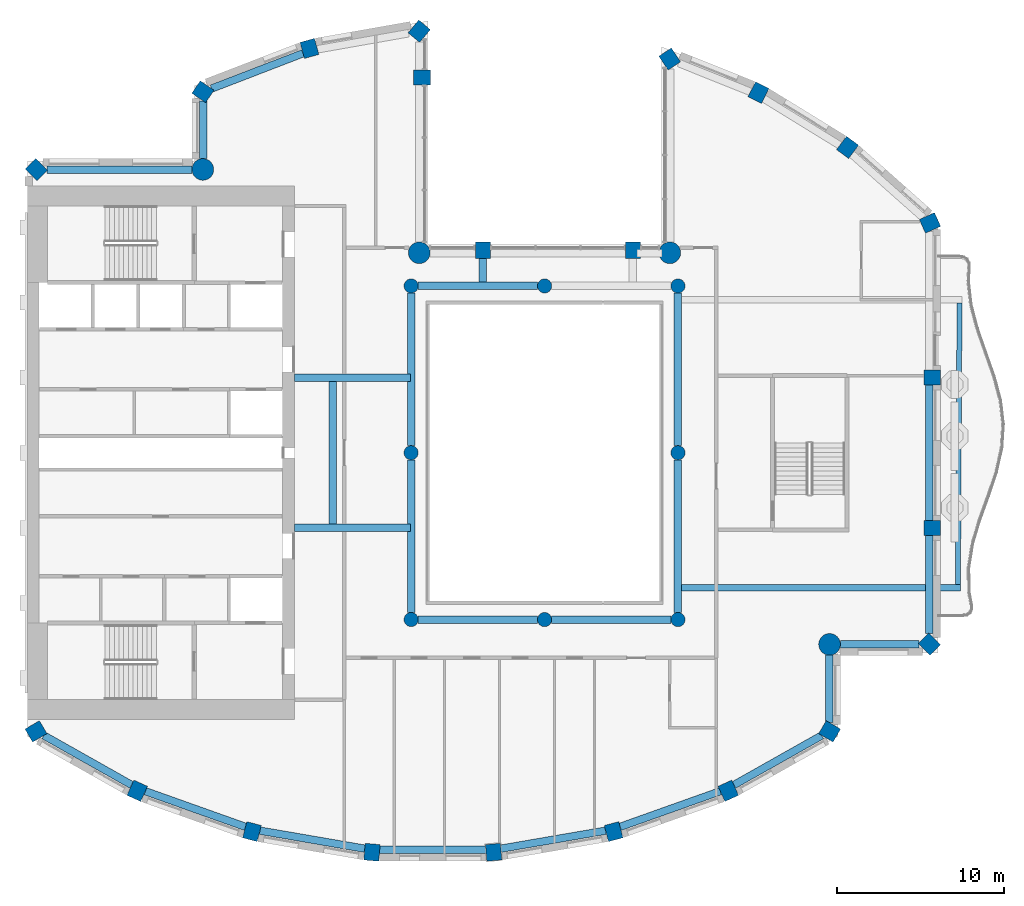
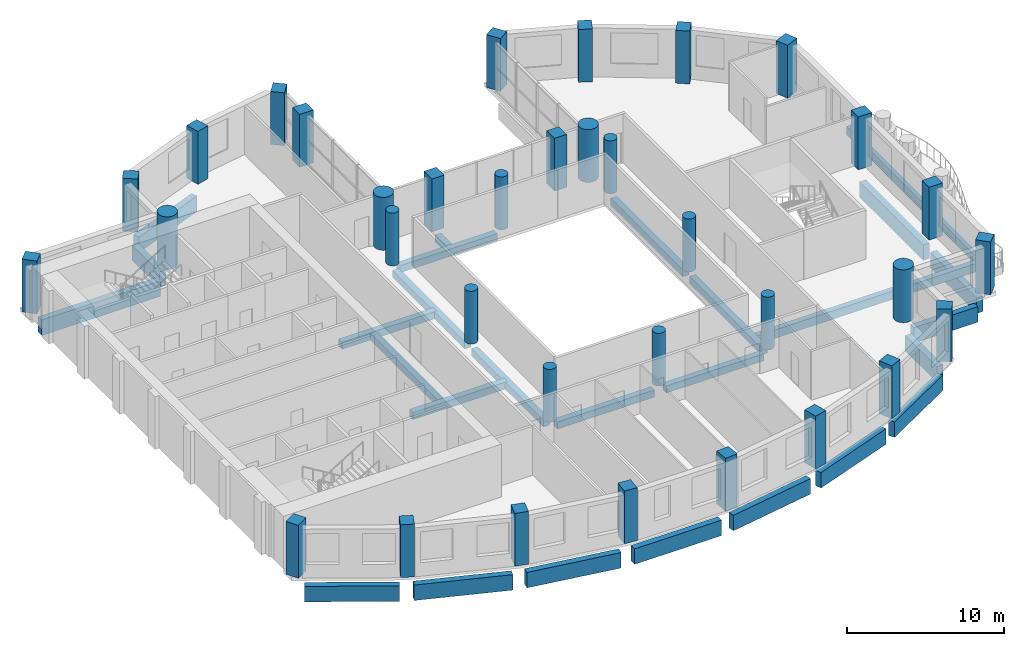
# One storey, part 1 of 14: 34 columns, 27 beams.
"""IFC4 building model written with IfcOpenShell, lengths in metres."""

from ifc_helpers import new_model, si_unit, direction, frame, origin, origin_2d, place, context, subcontext, project, spatial, rectangle, circle, extrude, material, material_profile, profile_set, type_object, element, save


model = new_model("IFC4")

# Units and contexts
model_context = context("Model", 3, precision=1e-05, world=origin(), true_north=direction((0.0, 1.0)))
body_context = subcontext(model_context, "Body", "Model", "MODEL_VIEW")
ifc_project = project(units=[si_unit("LENGTHUNIT", "METRE"), si_unit("AREAUNIT", "SQUARE_METRE"), si_unit("VOLUMEUNIT", "CUBIC_METRE"), si_unit("PLANEANGLEUNIT", "RADIAN"), si_unit("MASSUNIT", "GRAM", prefix="KILO")], contexts=[model_context])

# Site, building, storey
site_placement = place(None, origin())
site = spatial("IfcSite", under=ifc_project, at=site_placement, CompositionType="ELEMENT")
building_placement = place(site_placement, origin())
building = spatial("IfcBuilding", under=site, at=building_placement, Name="Cypress Arch Tower", CompositionType="ELEMENT")
storey_placement = place(building_placement, frame((0.0, 0.0, 304.89990234375)))
storey = spatial("IfcBuildingStorey", under=building, at=storey_placement, Name="L69", CompositionType="ELEMENT", Elevation=304.89990234375)

# Columns
ifc_material_1 = material(Name="Concrete C60/75", Category="concrete")
ifc_material_profile_1 = material_profile(ifc_material_1, rectangle(XDim=0.89990234375, YDim=1.0, at=origin_2d()), Name="RC 900x1000")
ifc_profile_set_1 = profile_set([ifc_material_profile_1], Name="Concrete C60/75")
column_type_1 = type_object("IfcColumnType", Name="Column RC 900x1000 Concrete C60/75", PredefinedType="COLUMN", material=ifc_profile_set_1)
for number, where, z_axis, x_axis, name in (
    (1, (8.5029296875, 23.606201171875, 0.0), (0.0, 0.0, 1.0), (-0.828469606019, -0.560034027451, 0.0), "Column L69 CC00"),
    (2, (6.300048828125, 12.14990234375, 0.0), (0.0, 0.0, 1.0), (-1.0, 0.0, 0.0), "Column L69 CC02"),
    (3, (-2.699951171875, 12.14990234375, 0.0), (0.0, 0.0, 1.0), (-1.0, 0.0, 0.0), "Column L69 CC03"),
    (4, (-6.35009765625, 22.5, 0.0), (0.0, 0.0, 1.0), (0.0, 1.0, 0.0), "Column L69 CC05"),
    (5, (-6.51611328125, 25.27490234375, 0.0), (0.0, 0.0, 1.0), (-0.766063514674, 0.642764880407, 0.0), "Column L69 CC06"),
    (6, (-13.0947265625, 24.241455078125, 0.0), (0.0, 0.0, 1.0), (-0.96345574646, -0.267867550506, 0.0), "Column L69 CC07"),
    (7, (-19.483154296875, 21.645263671875, 0.0), (0.0, 0.0, 1.0), (-0.565892599589, -0.824478966215, 0.0), "Column L69 CC08"),
    (8, (-29.478271484375, 16.978271484375, 0.0), (0.0, 0.0, 1.0), (-0.707106781187, -0.707106781187, 0.0), "Column L69 CC10"),
    (9, (-29.4912109375, -16.702880859375, 0.0), (0.0, 0.0, 1.0), (0.504399289829, -0.86347053014, 0.0), "Column L69 CC11"),
    (10, (-23.4189453125, -20.266845703125, 0.0), (0.0, 0.0, 1.0), (0.909932071487, -0.414757308891, 0.0), "Column L69 CC12"),
    (11, (-16.541748046875, -22.714599609375, 0.0), (0.0, 0.0, 1.0), (0.96735573689, -0.2534223319, 0.0), "Column L69 CC13"),
    (12, (-9.346923828125, -23.95361328125, 0.0), (0.0, 0.0, 1.0), (0.996368206733, -0.085149260784, 0.0), "Column L69 CC14"),
    (13, (-2.052978515625, -23.95361328125, 0.0), (0.0, 0.0, 1.0), (0.996368206733, 0.085149260784, 0.0), "Column L69 CC15"),
    (14, (5.1416015625, -22.714599609375, 0.0), (0.0, 0.0, 1.0), (0.96735573689, 0.2534223319, 0.0), "Column L69 CC16"),
    (15, (12.01904296875, -20.266845703125, 0.0), (0.0, 0.0, 1.0), (0.909932071487, 0.414757308891, 0.0), "Column L69 CC17"),
    (16, (18.09130859375, -16.702880859375, 0.0), (0.0, 0.0, 1.0), (0.504399289829, 0.86347053014, 0.0), "Column L69 CC18"),
    (17, (24.078369140625, -11.478271484375, 0.0), (0.0, 0.0, 1.0), (0.707106781187, 0.707106781187, 0.0), "Column L69 CC20"),
    (18, (24.25, -4.5, 0.0), (0.0, 0.0, 1.0), (0.0, 1.0, 0.0), "Column L69 CC21"),
    (19, (24.25, 4.5, 0.0), (0.0, 0.0, 1.0), (0.0, 1.0, 0.0), "Column L69 CC22"),
    (20, (24.109619140625, 13.77978515625, 0.0), (0.0, 0.0, 1.0), (-0.409765058504, 0.912191096662, 0.0), "Column L69 CC23"),
    (21, (19.168212890625, 18.307861328125, 0.0), (0.0, 0.0, 1.0), (-0.802798546114, 0.596250362144, 0.0), "Column L69 CC24"),
    (22, (13.82568359375, 21.59375, 0.0), (0.0, 0.0, 1.0), (-0.893106499805, 0.44984528452, 0.0), "Column L69 CC25"),
):
    element("IfcColumn", number, at=place(storey_placement, frame(where, z_axis=z_axis, x_axis=x_axis)), inside=storey, type_object=column_type_1, Name=name, PredefinedType="COLUMN", context=body_context, shape_type="SweptSolid", body=[
        extrude(rectangle(XDim=0.89990234375, YDim=1.0, at=origin_2d()), origin(), (0.0, 0.0, 1.0), 4.10009765625),
    ])
ifc_material_2 = material(Name="Concrete C60/75", Category="concrete")
ifc_material_profile_2 = material_profile(ifc_material_2, circle(Radius=0.425048828125, at=origin_2d()), Name="RC D850")
ifc_profile_set_2 = profile_set([ifc_material_profile_2], Name="Concrete C60/75")
column_type_2 = type_object("IfcColumnType", Name="Column RC D850 Concrete C60/75", PredefinedType="COLUMN", material=ifc_profile_set_2)
for number, where, z_axis, x_axis, name in (
    (23, (-7.0, -10.0, 0.0), (0.0, 0.0, 1.0), (1.0, 0.0, 0.0), "Column L69 RNG-L69-G-7-10"),
    (24, (-7.0, 0.0, 0.0), (0.0, 0.0, 1.0), (1.0, 0.0, 0.0), "Column L69 RNG-L69-G-7+0"),
    (25, (-7.0, 10.0, 0.0), (0.0, 0.0, 1.0), (1.0, 0.0, 0.0), "Column L69 RNG-L69-G-7+10"),
    (26, (1.0, -10.0, 0.0), (0.0, 0.0, 1.0), (1.0, 0.0, 0.0), "Column L69 RNG-L69-G+1-10"),
    (27, (1.0, 10.0, 0.0), (0.0, 0.0, 1.0), (1.0, 0.0, 0.0), "Column L69 RNG-L69-G+1+10"),
    (28, (9.0, -10.0, 0.0), (0.0, 0.0, 1.0), (1.0, 0.0, 0.0), "Column L69 RNG-L69-G+9-10"),
    (29, (9.0, 0.0, 0.0), (0.0, 0.0, 1.0), (1.0, 0.0, 0.0), "Column L69 RNG-L69-G+9+0"),
    (30, (9.0, 10.0, 0.0), (0.0, 0.0, 1.0), (1.0, 0.0, 0.0), "Column L69 RNG-L69-G+9+10"),
):
    element("IfcColumn", number, at=place(storey_placement, frame(where, z_axis=z_axis, x_axis=x_axis)), inside=storey, type_object=column_type_2, Name=name, PredefinedType="COLUMN", context=body_context, shape_type="SweptSolid", body=[
        extrude(circle(Radius=0.425048828125, at=origin_2d()), origin(), (0.0, 0.0, 1.0), 4.10009765625),
    ])
ifc_material_3 = material(Name="Concrete C60/75", Category="concrete")
ifc_material_profile_3 = material_profile(ifc_material_3, circle(Radius=0.64990234375, at=origin_2d()), Name="RC D1300")
ifc_profile_set_3 = profile_set([ifc_material_profile_3], Name="Concrete C60/75")
column_type_3 = type_object("IfcColumnType", Name="Mega-column RC D1300 Concrete C60/75", PredefinedType="COLUMN", material=ifc_profile_set_3)
for number, where, z_axis, x_axis, name in (
    (31, (8.51220703125, 11.98779296875, 0.0), (0.0, 0.0, 1.0), (1.0, 0.0, 0.0), "Column L69 CC01"),
    (32, (-6.51220703125, 11.98779296875, 0.0), (0.0, 0.0, 1.0), (1.0, 0.0, 0.0), "Column L69 CC04"),
    (33, (-19.48779296875, 16.98779296875, 0.0), (0.0, 0.0, 1.0), (1.0, 0.0, 0.0), "Column L69 CC09"),
    (34, (18.087890625, -11.48779296875, 0.0), (0.0, 0.0, 1.0), (1.0, 0.0, 0.0), "Column L69 CC19"),
):
    element("IfcColumn", number, at=place(storey_placement, frame(where, z_axis=z_axis, x_axis=x_axis)), inside=storey, type_object=column_type_3, Name=name, PredefinedType="COLUMN", context=body_context, shape_type="SweptSolid", body=[
        extrude(circle(Radius=0.64990234375, at=origin_2d()), origin(), (0.0, 0.0, 1.0), 4.10009765625),
    ])

# Beams
ifc_material_4 = material(Name="Concrete C50/60", Category="concrete")
ifc_material_profile_4 = material_profile(ifc_material_4, rectangle(XDim=0.300048828125, YDim=0.64990234375, at=origin_2d()), Name="RC 300x650")
ifc_profile_set_4 = profile_set([ifc_material_profile_4], Name="Concrete C50/60")
beam_type_1 = type_object("IfcBeamType", Name="Balcony edge beam RC 300x650 Concrete C50/60", PredefinedType="BEAM", material=ifc_profile_set_4)
beam_1_placement = place(storey_placement, frame((25.78955078125, -7.89990234375, -0.625), z_axis=(0.005307151473, 0.999985916972, 0.0), x_axis=(-0.999985916972, 0.005307151473, 0.0)))
element("IfcBeam", 35, at=beam_1_placement, inside=storey, type_object=beam_type_1, Name="Balcony edge beam L69 C17", PredefinedType="BEAM", context=body_context, shape_type="SweptSolid", body=[
    extrude(rectangle(XDim=0.300048828125, YDim=0.64990234375, at=origin_2d()), origin(), (0.0, 0.0, 1.0), 16.8828125),
])
ifc_material_5 = material(Name="Concrete C50/60", Category="concrete")
ifc_material_profile_5 = material_profile(ifc_material_5, rectangle(XDim=0.39990234375, YDim=0.64990234375, at=origin_2d()), Name="RC 400x650")
ifc_profile_set_5 = profile_set([ifc_material_profile_5], Name="Concrete C50/60")
beam_type_2 = type_object("IfcBeamType", Name="Cantilever beam RC 400x650 Concrete C50/60", PredefinedType="BEAM", material=ifc_profile_set_5)
beam_2_placement = place(storey_placement, frame((9.22509765625, -8.10009765625, -0.625), z_axis=(1.0, 0.0, 0.0), x_axis=(0.0, 1.0, 0.0)))
element("IfcBeam", 36, at=beam_2_placement, inside=storey, type_object=beam_type_2, Name="Cantilever beam L69 C17 1", PredefinedType="BEAM", context=body_context, shape_type="SweptSolid", body=[
    extrude(rectangle(XDim=0.39990234375, YDim=0.64990234375, at=origin_2d()), origin(), (0.0, 0.0, 1.0), 16.714599609375),
])
ifc_material_6 = material(Name="Concrete C50/60", Category="concrete")
ifc_material_profile_6 = material_profile(ifc_material_6, rectangle(XDim=0.449951171875, YDim=0.550048828125, at=origin_2d()), Name="RC 450x550")
ifc_profile_set_6 = profile_set([ifc_material_profile_6], Name="Concrete C50/60")
beam_type_3 = type_object("IfcBeamType", Name="Floor beam RC 450x550 Concrete C50/60", PredefinedType="BEAM", material=ifc_profile_set_6)
for number, where, z_axis, x_axis, name in (
    (37, (-7.0, -9.574951171875, -0.574951171875), (0.0, 1.0, 0.0), (-1.0, 0.0, 0.0), "Floor beam L69 RB001"),
    (38, (-7.0, 0.425048828125, -0.574951171875), (0.0, 1.0, 0.0), (-1.0, 0.0, 0.0), "Floor beam L69 RB002"),
    (39, (9.0, -9.574951171875, -0.574951171875), (0.0, 1.0, 0.0), (-1.0, 0.0, 0.0), "Floor beam L69 RB003"),
    (40, (9.0, 0.425048828125, -0.574951171875), (0.0, 1.0, 0.0), (-1.0, 0.0, 0.0), "Floor beam L69 RB004"),
):
    element("IfcBeam", number, at=place(storey_placement, frame(where, z_axis=z_axis, x_axis=x_axis)), inside=storey, type_object=beam_type_3, Name=name, PredefinedType="BEAM", context=body_context, shape_type="SweptSolid", body=[
        extrude(rectangle(XDim=0.449951171875, YDim=0.550048828125, at=origin_2d()), origin(), (0.0, 0.0, 1.0), 9.14990234375),
    ])
for number, where, z_axis, x_axis, name in (
    (41, (-6.574951171875, -10.0, -0.574951171875), (1.0, 0.0, 0.0), (0.0, 1.0, 0.0), "Floor beam L69 RB005"),
    (42, (1.425048828125, -10.0, -0.574951171875), (1.0, 0.0, 0.0), (0.0, 1.0, 0.0), "Floor beam L69 RB006"),
    (43, (-6.574951171875, 10.0, -0.574951171875), (1.0, 0.0, 0.0), (0.0, 1.0, 0.0), "Floor beam L69 RB007"),
):
    element("IfcBeam", number, at=place(storey_placement, frame(where, z_axis=z_axis, x_axis=x_axis)), inside=storey, type_object=beam_type_3, Name=name, PredefinedType="BEAM", context=body_context, shape_type="SweptSolid", body=[
        extrude(rectangle(XDim=0.449951171875, YDim=0.550048828125, at=origin_2d()), origin(), (0.0, 0.0, 1.0), 7.14990234375),
    ])
for number, where, z_axis, x_axis, name in (
    (44, (-14.0, -4.5, -0.574951171875), (1.0, 0.0, 0.0), (0.0, 1.0, 0.0), "Floor beam L69 FB009"),
    (45, (-14.0, 4.5, -0.574951171875), (1.0, 0.0, 0.0), (0.0, 1.0, 0.0), "Floor beam L69 FB010"),
):
    element("IfcBeam", number, at=place(storey_placement, frame(where, z_axis=z_axis, x_axis=x_axis)), inside=storey, type_object=beam_type_3, Name=name, PredefinedType="BEAM", context=body_context, shape_type="SweptSolid", body=[
        extrude(rectangle(XDim=0.449951171875, YDim=0.550048828125, at=origin_2d()), origin(), (0.0, 0.0, 1.0), 6.949951171875),
    ])
beam_3_placement = place(storey_placement, frame((-11.699951171875, -4.27490234375, -0.574951171875), z_axis=(0.0, 1.0, 0.0), x_axis=(-1.0, 0.0, 0.0)))
element("IfcBeam", 46, at=beam_3_placement, inside=storey, type_object=beam_type_3, Name="Floor beam L69 FB011", PredefinedType="BEAM", context=body_context, shape_type="SweptSolid", body=[
    extrude(rectangle(XDim=0.449951171875, YDim=0.550048828125, at=origin_2d()), origin(), (0.0, 0.0, 1.0), 8.5498046875),
])
beam_4_placement = place(storey_placement, frame((-2.699951171875, 10.22509765625, -0.574951171875), z_axis=(0.0, 1.0, 0.0), x_axis=(-1.0, 0.0, 0.0)))
element("IfcBeam", 47, at=beam_4_placement, inside=storey, type_object=beam_type_3, Name="Floor beam L69 FB012", PredefinedType="BEAM", context=body_context, shape_type="SweptSolid", body=[
    extrude(rectangle(XDim=0.449951171875, YDim=0.550048828125, at=origin_2d()), origin(), (0.0, 0.0, 1.0), 1.4248046875),
])
ifc_material_7 = material(Name="Concrete C50/60", Category="concrete")
ifc_material_profile_7 = material_profile(ifc_material_7, rectangle(XDim=0.449951171875, YDim=1.199951171875, at=origin_2d()), Name="RC 450x1200")
ifc_profile_set_7 = profile_set([ifc_material_profile_7], Name="Concrete C50/60")
beam_type_4 = type_object("IfcBeamType", Name="Spandrel beam RC 450x1200 Concrete C50/60", PredefinedType="SPANDREL", material=ifc_profile_set_7)
beam_5_placement = place(storey_placement, frame((-13.48046875, 23.94921875, -1.5498046875), z_axis=(-0.933138853319, -0.359516175472, 0.0), x_axis=(0.359516175472, -0.933138853319, 0.0)))
element("IfcBeam", 48, at=beam_5_placement, inside=storey, type_object=beam_type_4, Name="Spandrel beam L69 BC04-0", PredefinedType="SPANDREL", context=body_context, shape_type="SweptSolid", body=[
    extrude(rectangle(XDim=0.449951171875, YDim=1.199951171875, at=origin_2d()), origin(), (0.0, 0.0, 1.0), 5.878173828125),
])
beam_6_placement = place(storey_placement, frame((-19.47509765625, 21.09375, -1.5498046875), z_axis=(0.0, -1.0, 0.0), x_axis=(1.0, 0.0, 0.0)))
element("IfcBeam", 49, at=beam_6_placement, inside=storey, type_object=beam_type_4, Name="Spandrel beam L69 BC05-0", PredefinedType="SPANDREL", context=body_context, shape_type="SweptSolid", body=[
    extrude(rectangle(XDim=0.449951171875, YDim=1.199951171875, at=origin_2d()), origin(), (0.0, 0.0, 1.0), 3.456298828125),
])
beam_7_placement = place(storey_placement, frame((-20.137451171875, 16.97509765625, -1.5498046875), z_axis=(-1.0, 0.0, 0.0), x_axis=(0.0, -1.0, 0.0)))
element("IfcBeam", 50, at=beam_7_placement, inside=storey, type_object=beam_type_4, Name="Spandrel beam L69 BC06-0", PredefinedType="SPANDREL", context=body_context, shape_type="SweptSolid", body=[
    extrude(rectangle(XDim=0.449951171875, YDim=1.199951171875, at=origin_2d()), origin(), (0.0, 0.0, 1.0), 8.701171875),
])
beam_8_placement = place(storey_placement, frame((-29.02099609375, -16.94921875, -1.5498046875), z_axis=(0.871059543975, -0.491177433165, 0.0), x_axis=(0.491177433165, 0.871059543975, 0.0)))
element("IfcBeam", 51, at=beam_8_placement, inside=storey, type_object=beam_type_4, Name="Spandrel beam L69 BC08-0", PredefinedType="SPANDREL", context=body_context, shape_type="SweptSolid", body=[
    extrude(rectangle(XDim=0.449951171875, YDim=1.199951171875, at=origin_2d()), origin(), (0.0, 0.0, 1.0), 6.045654296875),
])
beam_9_placement = place(storey_placement, frame((-22.93603515625, -20.2919921875, -1.5498046875), z_axis=(0.942120065582, -0.33527568064, 0.0), x_axis=(0.33527568064, 0.942120065582, 0.0)))
element("IfcBeam", 52, at=beam_9_placement, inside=storey, type_object=beam_type_4, Name="Spandrel beam L69 BC09-0", PredefinedType="SPANDREL", context=body_context, shape_type="SweptSolid", body=[
    extrude(rectangle(XDim=0.449951171875, YDim=1.199951171875, at=origin_2d()), origin(), (0.0, 0.0, 1.0), 6.373046875),
])
beam_10_placement = place(storey_placement, frame((-16.061279296875, -22.656982421875, -1.5498046875), z_axis=(0.985502990778, -0.169658053646, 0.0), x_axis=(0.169658053646, 0.985502990778, 0.0)))
element("IfcBeam", 53, at=beam_10_placement, inside=storey, type_object=beam_type_4, Name="Spandrel beam L69 BC10-0", PredefinedType="SPANDREL", context=body_context, shape_type="SweptSolid", body=[
    extrude(rectangle(XDim=0.449951171875, YDim=1.199951171875, at=origin_2d()), origin(), (0.0, 0.0, 1.0), 6.373291015625),
])
beam_11_placement = place(storey_placement, frame((-8.883544921875, -23.81494140625, -1.5498046875), z_axis=(1.0, 0.0, 0.0), x_axis=(0.0, 1.0, 0.0)))
element("IfcBeam", 54, at=beam_11_placement, inside=storey, type_object=beam_type_4, Name="Spandrel beam L69 BC11-0", PredefinedType="SPANDREL", context=body_context, shape_type="SweptSolid", body=[
    extrude(rectangle(XDim=0.449951171875, YDim=1.199951171875, at=origin_2d()), origin(), (0.0, 0.0, 1.0), 6.366943359375),
])
beam_12_placement = place(storey_placement, frame((-1.619873046875, -23.73828125, -1.5498046875), z_axis=(0.985504093315, 0.169651649149, 0.0), x_axis=(-0.169651649149, 0.985504093315, 0.0)))
element("IfcBeam", 55, at=beam_12_placement, inside=storey, type_object=beam_type_4, Name="Spandrel beam L69 BC12-0", PredefinedType="SPANDREL", context=body_context, shape_type="SweptSolid", body=[
    extrude(rectangle(XDim=0.449951171875, YDim=1.199951171875, at=origin_2d()), origin(), (0.0, 0.0, 1.0), 6.37353515625),
])
beam_13_placement = place(storey_placement, frame((5.531982421875, -22.4287109375, -1.5498046875), z_axis=(0.942115759102, 0.335287781541, 0.0), x_axis=(-0.335287781541, 0.942115759102, 0.0)))
element("IfcBeam", 56, at=beam_13_placement, inside=storey, type_object=beam_type_4, Name="Spandrel beam L69 BC13-0", PredefinedType="SPANDREL", context=body_context, shape_type="SweptSolid", body=[
    extrude(rectangle(XDim=0.449951171875, YDim=1.199951171875, at=origin_2d()), origin(), (0.0, 0.0, 1.0), 6.372802734375),
])
beam_14_placement = place(storey_placement, frame((12.35498046875, -19.918701171875, -1.5498046875), z_axis=(0.871059543975, 0.491177433165, 0.0), x_axis=(-0.491177433165, 0.871059543975, 0.0)))
element("IfcBeam", 57, at=beam_14_placement, inside=storey, type_object=beam_type_4, Name="Spandrel beam L69 BC14-0", PredefinedType="SPANDREL", context=body_context, shape_type="SweptSolid", body=[
    extrude(rectangle(XDim=0.449951171875, YDim=1.199951171875, at=origin_2d()), origin(), (0.0, 0.0, 1.0), 6.045654296875),
])
beam_15_placement = place(storey_placement, frame((18.074951171875, -16.172119140625, -1.5498046875), z_axis=(0.0, 1.0, 0.0), x_axis=(-1.0, 0.0, 0.0)))
element("IfcBeam", 58, at=beam_15_placement, inside=storey, type_object=beam_type_4, Name="Spandrel beam L69 BC15-0", PredefinedType="SPANDREL", context=body_context, shape_type="SweptSolid", body=[
    extrude(rectangle(XDim=0.449951171875, YDim=1.199951171875, at=origin_2d()), origin(), (0.0, 0.0, 1.0), 4.03466796875),
])
beam_16_placement = place(storey_placement, frame((18.737548828125, -11.47509765625, -1.5498046875), z_axis=(1.0, 0.0, 0.0), x_axis=(0.0, 1.0, 0.0)))
element("IfcBeam", 59, at=beam_16_placement, inside=storey, type_object=beam_type_4, Name="Spandrel beam L69 BC16-0", PredefinedType="SPANDREL", context=body_context, shape_type="SweptSolid", body=[
    extrude(rectangle(XDim=0.449951171875, YDim=1.199951171875, at=origin_2d()), origin(), (0.0, 0.0, 1.0), 4.701171875),
])
beam_17_placement = place(storey_placement, frame((24.074951171875, -10.838623046875, -1.5498046875), z_axis=(0.0, 1.0, 0.0), x_axis=(-1.0, 0.0, 0.0)))
element("IfcBeam", 60, at=beam_17_placement, inside=storey, type_object=beam_type_4, Name="Spandrel beam L69 BC17-0", PredefinedType="SPANDREL", context=body_context, shape_type="SweptSolid", body=[
    extrude(rectangle(XDim=0.449951171875, YDim=1.199951171875, at=origin_2d()), origin(), (0.0, 0.0, 1.0), 5.888671875),
])
beam_18_placement = place(storey_placement, frame((24.074951171875, -4.050048828125, -1.5498046875), z_axis=(0.0, 1.0, 0.0), x_axis=(-1.0, 0.0, 0.0)))
element("IfcBeam", 61, at=beam_18_placement, inside=storey, type_object=beam_type_4, Name="Spandrel beam L69 BC17-1", PredefinedType="SPANDREL", context=body_context, shape_type="SweptSolid", body=[
    extrude(rectangle(XDim=0.449951171875, YDim=1.199951171875, at=origin_2d()), origin(), (0.0, 0.0, 1.0), 8.10009765625),
])

save(model, "model.ifc")
